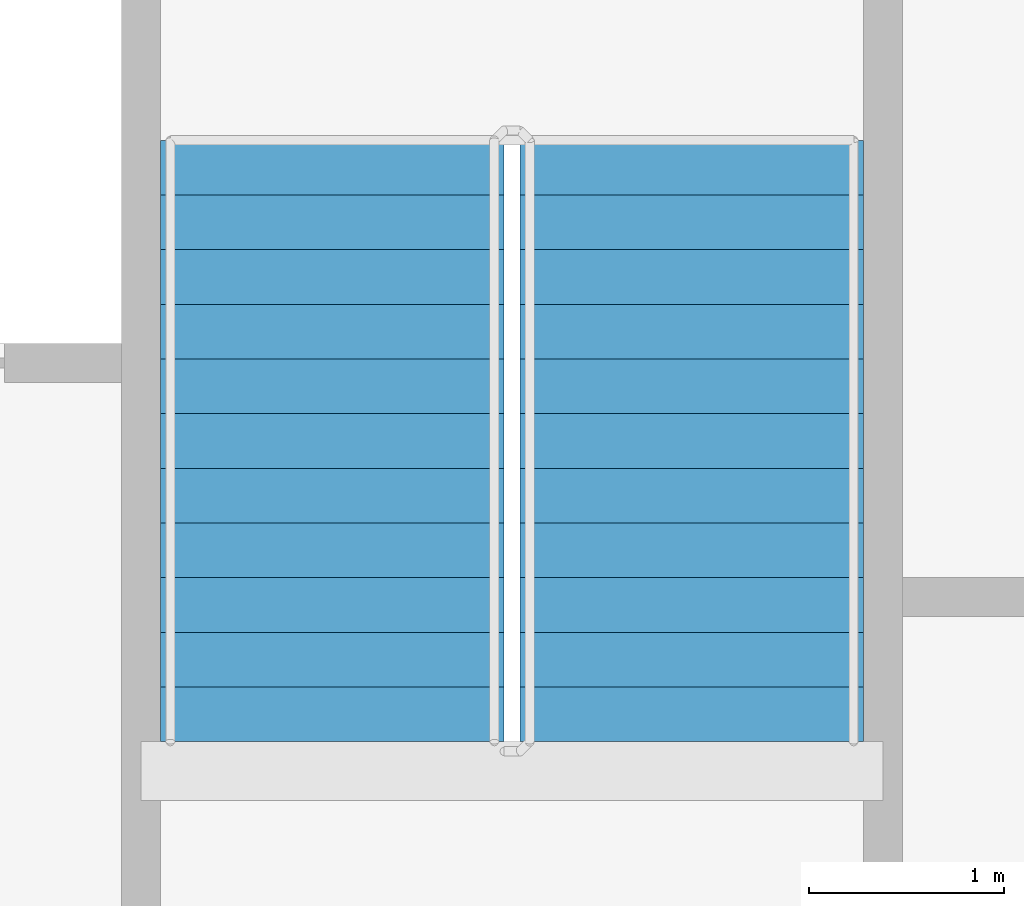
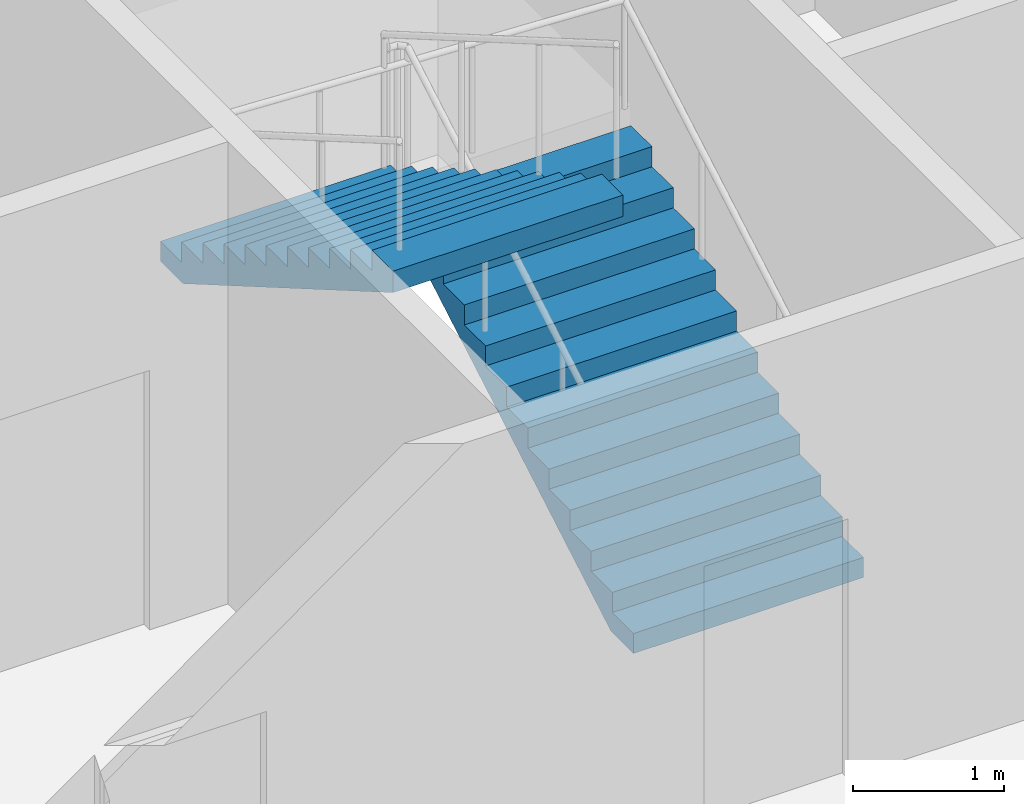
# One storey, part 10 of 15: 2 stair flights, 1 element without a shape of its own.
"""IFC4 building model written with IfcOpenShell, lengths in metres."""

from ifc_helpers import new_model, si_unit, direction, frame, origin, place, context, subcontext, project, spatial, faceted_brep, material, type_object, element, aggregate, save


model = new_model("IFC4")

# Units and contexts
model_context = context("Model", 3, precision=1e-05, world=origin(), true_north=direction((0.0, 1.0)))
body_context = subcontext(model_context, "Body", "Model", "MODEL_VIEW")
ifc_project = project(units=[si_unit("LENGTHUNIT", "METRE"), si_unit("AREAUNIT", "SQUARE_METRE"), si_unit("VOLUMEUNIT", "CUBIC_METRE"), si_unit("PLANEANGLEUNIT", "RADIAN"), si_unit("MASSUNIT", "GRAM", prefix="KILO")], contexts=[model_context])

# Site, building, storey
site_placement = place(None, origin())
site = spatial("IfcSite", under=ifc_project, at=site_placement, CompositionType="ELEMENT")
building_placement = place(site_placement, origin())
building = spatial("IfcBuilding", under=site, at=building_placement, Name="Tarsis Ring Headquarters", CompositionType="ELEMENT")
storey_placement = place(building_placement, frame((0.0, 0.0, 167.10009765625)))
storey = spatial("IfcBuildingStorey", under=building, at=storey_placement, Name="L38", CompositionType="ELEMENT", Elevation=167.10009765625)

# Stair, stair flights
ifc_material_1 = material(Name="Core stair 1760")
stair_type = type_object("IfcStairType", Name="Core stair 1760", PredefinedType="HALF_TURN_STAIR", material=ifc_material_1)
stair_placement = place(storey_placement, origin())
stair = element("IfcStair", 1, at=stair_placement, inside=storey, type_object=stair_type, Name="L38 Exit stair B", PredefinedType="HALF_TURN_STAIR")
ifc_material_2 = material(Name="Concrete C40/50", Category="concrete")
stair_flight_type = type_object("IfcStairFlightType", Name="Core stair flight 1760", PredefinedType="STRAIGHT", material=ifc_material_2)
stair_flight_1_placement = place(storey_placement, frame((5.419921875, 3.659912109375, 0.0), z_axis=(0.0, 0.0, 1.0), x_axis=(0.0, 1.0, 0.0)))
stair_flight_1 = element("IfcStairFlight", 2, at=stair_flight_1_placement, type_object=stair_flight_type, Name="Stair ST2 flight 1", NumberOfRisers=12, NumberOfTreads=11, PredefinedType="STRAIGHT", RiserHeight=0.1625, TreadLength=0.28, context=body_context, shape_type="Brep", body=[
    faceted_brep([(0.0, 0.8798828125, 0.0), (0.0, 0.8798828125, 0.16259765625), (0.280029296875, 0.8798828125, 0.16259765625), (0.280029296875, 0.8798828125, 0.324951171875), (0.56005859375, 0.8798828125, 0.324951171875), (0.56005859375, 0.8798828125, 0.487548828125), (0.840087890625, 0.8798828125, 0.487548828125), (0.840087890625, 0.8798828125, 0.64990234375), (1.1201171875, 0.8798828125, 0.64990234375), (1.1201171875, 0.8798828125, 0.8125), (1.39990234375, 0.8798828125, 0.8125), (1.39990234375, 0.8798828125, 0.97509765625), (1.679931640625, 0.8798828125, 0.97509765625), (1.679931640625, 0.8798828125, 1.137451171875), (1.9599609375, 0.8798828125, 1.137451171875), (1.9599609375, 0.8798828125, 1.300048828125), (2.239990234375, 0.8798828125, 1.300048828125), (2.239990234375, 0.8798828125, 1.46240234375), (2.52001953125, 0.8798828125, 1.46240234375), (2.52001953125, 0.8798828125, 1.625), (2.800048828125, 0.8798828125, 1.625), (2.800048828125, 0.8798828125, 1.78759765625), (3.080078125, 0.8798828125, 1.78759765625), (3.080078125, 0.8798828125, 1.6142578125), (0.298583984375, 0.8798828125, 0.0), (0.298583984375, -0.8798828125, 0.0), (3.080078125, -0.8798828125, 1.6142578125), (3.080078125, -0.8798828125, 1.78759765625), (2.800048828125, -0.8798828125, 1.78759765625), (2.800048828125, -0.8798828125, 1.625), (2.52001953125, -0.8798828125, 1.625), (2.52001953125, -0.8798828125, 1.46240234375), (2.239990234375, -0.8798828125, 1.46240234375), (2.239990234375, -0.8798828125, 1.300048828125), (1.9599609375, -0.8798828125, 1.300048828125), (1.9599609375, -0.8798828125, 1.137451171875), (1.679931640625, -0.8798828125, 1.137451171875), (1.679931640625, -0.8798828125, 0.97509765625), (1.39990234375, -0.8798828125, 0.97509765625), (1.39990234375, -0.8798828125, 0.8125), (1.1201171875, -0.8798828125, 0.8125), (1.1201171875, -0.8798828125, 0.64990234375), (0.840087890625, -0.8798828125, 0.64990234375), (0.840087890625, -0.8798828125, 0.487548828125), (0.56005859375, -0.8798828125, 0.487548828125), (0.56005859375, -0.8798828125, 0.324951171875), (0.280029296875, -0.8798828125, 0.324951171875), (0.280029296875, -0.8798828125, 0.16259765625), (0.0, -0.8798828125, 0.16259765625), (0.0, -0.8798828125, 0.0), (0.0, -0.43994140625, 0.16259765625), (0.0, -0.43994140625, 0.0), (0.0, 0.0, 0.16259765625), (0.0, 0.0, 0.0), (0.0, 0.43994140625, 0.16259765625), (0.0, 0.43994140625, 0.0), (0.280029296875, -0.43994140625, 0.16259765625), (0.280029296875, 0.0, 0.16259765625), (0.280029296875, 0.43994140625, 0.16259765625), (0.280029296875, -0.43994140625, 0.324951171875), (0.280029296875, 0.0, 0.324951171875), (0.280029296875, 0.43994140625, 0.324951171875), (0.56005859375, -0.43994140625, 0.324951171875), (0.56005859375, 0.0, 0.324951171875), (0.56005859375, 0.43994140625, 0.324951171875), (0.56005859375, -0.43994140625, 0.487548828125), (0.56005859375, 0.0, 0.487548828125), (0.56005859375, 0.43994140625, 0.487548828125), (0.840087890625, -0.43994140625, 0.487548828125), (0.840087890625, 0.0, 0.487548828125), (0.840087890625, 0.43994140625, 0.487548828125), (0.840087890625, -0.43994140625, 0.64990234375), (0.840087890625, 0.0, 0.64990234375), (0.840087890625, 0.43994140625, 0.64990234375), (1.1201171875, -0.43994140625, 0.64990234375), (1.1201171875, 0.0, 0.64990234375), (1.1201171875, 0.43994140625, 0.64990234375), (1.1201171875, -0.43994140625, 0.8125), (1.1201171875, 0.0, 0.8125), (1.1201171875, 0.43994140625, 0.8125), (1.39990234375, -0.43994140625, 0.8125), (1.39990234375, 0.0, 0.8125), (1.39990234375, 0.43994140625, 0.8125), (1.39990234375, -0.43994140625, 0.97509765625), (1.39990234375, 0.0, 0.97509765625), (1.39990234375, 0.43994140625, 0.97509765625), (1.679931640625, -0.43994140625, 0.97509765625), (1.679931640625, 0.0, 0.97509765625), (1.679931640625, 0.43994140625, 0.97509765625), (1.679931640625, -0.43994140625, 1.137451171875), (1.679931640625, 0.0, 1.137451171875), (1.679931640625, 0.43994140625, 1.137451171875), (1.9599609375, -0.43994140625, 1.137451171875), (1.9599609375, 0.0, 1.137451171875), (1.9599609375, 0.43994140625, 1.137451171875), (1.9599609375, -0.43994140625, 1.300048828125), (1.9599609375, 0.0, 1.300048828125), (1.9599609375, 0.43994140625, 1.300048828125), (2.239990234375, -0.43994140625, 1.300048828125), (2.239990234375, 0.0, 1.300048828125), (2.239990234375, 0.43994140625, 1.300048828125), (2.239990234375, -0.43994140625, 1.46240234375), (2.239990234375, 0.0, 1.46240234375), (2.239990234375, 0.43994140625, 1.46240234375), (2.52001953125, -0.43994140625, 1.46240234375), (2.52001953125, 0.0, 1.46240234375), (2.52001953125, 0.43994140625, 1.46240234375), (2.52001953125, -0.43994140625, 1.625), (2.52001953125, 0.0, 1.625), (2.52001953125, 0.43994140625, 1.625), (2.800048828125, -0.43994140625, 1.625), (2.800048828125, 0.0, 1.625), (2.800048828125, 0.43994140625, 1.625), (2.800048828125, -0.43994140625, 1.78759765625), (2.800048828125, 0.0, 1.78759765625), (2.800048828125, 0.43994140625, 1.78759765625), (3.080078125, -0.43994140625, 1.78759765625), (3.080078125, 0.0, 1.78759765625), (3.080078125, 0.43994140625, 1.78759765625), (3.080078125, -0.43994140625, 1.6142578125), (3.080078125, 0.0, 1.6142578125), (3.080078125, 0.43994140625, 1.6142578125), (0.298583984375, -0.43994140625, 0.0), (0.298583984375, 0.0, 0.0), (0.298583984375, 0.43994140625, 0.0)], [[[0, 1, 2, 3, 4, 5, 6, 7, 8, 9, 10, 11, 12, 13, 14, 15, 16, 17, 18, 19, 20, 21, 22, 23, 24]], [[25, 26, 27, 28, 29, 30, 31, 32, 33, 34, 35, 36, 37, 38, 39, 40, 41, 42, 43, 44, 45, 46, 47, 48, 49]], [[49, 48, 50, 51]], [[51, 50, 52, 53]], [[53, 52, 54, 55]], [[55, 54, 1, 0]], [[48, 47, 56, 50]], [[50, 56, 57, 52]], [[52, 57, 58, 54]], [[54, 58, 2, 1]], [[47, 46, 59, 56]], [[56, 59, 60, 57]], [[57, 60, 61, 58]], [[58, 61, 3, 2]], [[46, 45, 62, 59]], [[59, 62, 63, 60]], [[60, 63, 64, 61]], [[61, 64, 4, 3]], [[45, 44, 65, 62]], [[62, 65, 66, 63]], [[63, 66, 67, 64]], [[64, 67, 5, 4]], [[44, 43, 68, 65]], [[65, 68, 69, 66]], [[66, 69, 70, 67]], [[67, 70, 6, 5]], [[43, 42, 71, 68]], [[68, 71, 72, 69]], [[69, 72, 73, 70]], [[70, 73, 7, 6]], [[42, 41, 74, 71]], [[71, 74, 75, 72]], [[72, 75, 76, 73]], [[73, 76, 8, 7]], [[41, 40, 77, 74]], [[74, 77, 78, 75]], [[75, 78, 79, 76]], [[76, 79, 9, 8]], [[40, 39, 80, 77]], [[77, 80, 81, 78]], [[78, 81, 82, 79]], [[79, 82, 10, 9]], [[39, 38, 83, 80]], [[80, 83, 84, 81]], [[81, 84, 85, 82]], [[82, 85, 11, 10]], [[38, 37, 86, 83]], [[83, 86, 87, 84]], [[84, 87, 88, 85]], [[85, 88, 12, 11]], [[37, 36, 89, 86]], [[86, 89, 90, 87]], [[87, 90, 91, 88]], [[88, 91, 13, 12]], [[36, 35, 92, 89]], [[89, 92, 93, 90]], [[90, 93, 94, 91]], [[91, 94, 14, 13]], [[35, 34, 95, 92]], [[92, 95, 96, 93]], [[93, 96, 97, 94]], [[94, 97, 15, 14]], [[34, 33, 98, 95]], [[95, 98, 99, 96]], [[96, 99, 100, 97]], [[97, 100, 16, 15]], [[33, 32, 101, 98]], [[98, 101, 102, 99]], [[99, 102, 103, 100]], [[100, 103, 17, 16]], [[32, 31, 104, 101]], [[101, 104, 105, 102]], [[102, 105, 106, 103]], [[103, 106, 18, 17]], [[31, 30, 107, 104]], [[104, 107, 108, 105]], [[105, 108, 109, 106]], [[106, 109, 19, 18]], [[30, 29, 110, 107]], [[107, 110, 111, 108]], [[108, 111, 112, 109]], [[109, 112, 20, 19]], [[29, 28, 113, 110]], [[110, 113, 114, 111]], [[111, 114, 115, 112]], [[112, 115, 21, 20]], [[28, 27, 116, 113]], [[113, 116, 117, 114]], [[114, 117, 118, 115]], [[115, 118, 22, 21]], [[27, 26, 119, 116]], [[116, 119, 120, 117]], [[117, 120, 121, 118]], [[118, 121, 23, 22]], [[26, 25, 122, 119]], [[119, 122, 123, 120]], [[120, 123, 124, 121]], [[121, 124, 24, 23]], [[25, 49, 51, 122]], [[122, 51, 53, 123]], [[123, 53, 55, 124]], [[124, 55, 0, 24]]]),
])
stair_flight_2_placement = place(storey_placement, frame((3.580078125, 6.739990234375, 1.949951171875), z_axis=(0.0, 0.0, 1.0), x_axis=(0.0, -1.0, 0.0)))
stair_flight_2 = element("IfcStairFlight", 3, at=stair_flight_2_placement, type_object=stair_flight_type, Name="Stair ST2 flight 2", NumberOfRisers=12, NumberOfTreads=11, PredefinedType="STRAIGHT", RiserHeight=0.1625, TreadLength=0.28, context=body_context, shape_type="Brep", body=[
    faceted_brep([(0.0, 0.8798828125, 0.0), (0.0, 0.8798828125, 0.16259765625), (0.280029296875, 0.8798828125, 0.16259765625), (0.280029296875, 0.8798828125, 0.324951171875), (0.56005859375, 0.8798828125, 0.324951171875), (0.56005859375, 0.8798828125, 0.487548828125), (0.840087890625, 0.8798828125, 0.487548828125), (0.840087890625, 0.8798828125, 0.64990234375), (1.1201171875, 0.8798828125, 0.64990234375), (1.1201171875, 0.8798828125, 0.8125), (1.39990234375, 0.8798828125, 0.8125), (1.39990234375, 0.8798828125, 0.97509765625), (1.679931640625, 0.8798828125, 0.97509765625), (1.679931640625, 0.8798828125, 1.137451171875), (1.9599609375, 0.8798828125, 1.137451171875), (1.9599609375, 0.8798828125, 1.300048828125), (2.239990234375, 0.8798828125, 1.300048828125), (2.239990234375, 0.8798828125, 1.46240234375), (2.52001953125, 0.8798828125, 1.46240234375), (2.52001953125, 0.8798828125, 1.625), (2.800048828125, 0.8798828125, 1.625), (2.800048828125, 0.8798828125, 1.78759765625), (3.080078125, 0.8798828125, 1.78759765625), (3.080078125, 0.8798828125, 1.6142578125), (0.298583984375, 0.8798828125, 0.0), (0.298583984375, -0.8798828125, 0.0), (3.080078125, -0.8798828125, 1.6142578125), (3.080078125, -0.8798828125, 1.78759765625), (2.800048828125, -0.8798828125, 1.78759765625), (2.800048828125, -0.8798828125, 1.625), (2.52001953125, -0.8798828125, 1.625), (2.52001953125, -0.8798828125, 1.46240234375), (2.239990234375, -0.8798828125, 1.46240234375), (2.239990234375, -0.8798828125, 1.300048828125), (1.9599609375, -0.8798828125, 1.300048828125), (1.9599609375, -0.8798828125, 1.137451171875), (1.679931640625, -0.8798828125, 1.137451171875), (1.679931640625, -0.8798828125, 0.97509765625), (1.39990234375, -0.8798828125, 0.97509765625), (1.39990234375, -0.8798828125, 0.8125), (1.1201171875, -0.8798828125, 0.8125), (1.1201171875, -0.8798828125, 0.64990234375), (0.840087890625, -0.8798828125, 0.64990234375), (0.840087890625, -0.8798828125, 0.487548828125), (0.56005859375, -0.8798828125, 0.487548828125), (0.56005859375, -0.8798828125, 0.324951171875), (0.280029296875, -0.8798828125, 0.324951171875), (0.280029296875, -0.8798828125, 0.16259765625), (0.0, -0.8798828125, 0.16259765625), (0.0, -0.8798828125, 0.0), (0.0, -0.43994140625, 0.16259765625), (0.0, -0.43994140625, 0.0), (0.0, 0.0, 0.16259765625), (0.0, 0.0, 0.0), (0.0, 0.43994140625, 0.16259765625), (0.0, 0.43994140625, 0.0), (0.280029296875, -0.43994140625, 0.16259765625), (0.280029296875, 0.0, 0.16259765625), (0.280029296875, 0.43994140625, 0.16259765625), (0.280029296875, -0.43994140625, 0.324951171875), (0.280029296875, 0.0, 0.324951171875), (0.280029296875, 0.43994140625, 0.324951171875), (0.56005859375, -0.43994140625, 0.324951171875), (0.56005859375, 0.0, 0.324951171875), (0.56005859375, 0.43994140625, 0.324951171875), (0.56005859375, -0.43994140625, 0.487548828125), (0.56005859375, 0.0, 0.487548828125), (0.56005859375, 0.43994140625, 0.487548828125), (0.840087890625, -0.43994140625, 0.487548828125), (0.840087890625, 0.0, 0.487548828125), (0.840087890625, 0.43994140625, 0.487548828125), (0.840087890625, -0.43994140625, 0.64990234375), (0.840087890625, 0.0, 0.64990234375), (0.840087890625, 0.43994140625, 0.64990234375), (1.1201171875, -0.43994140625, 0.64990234375), (1.1201171875, 0.0, 0.64990234375), (1.1201171875, 0.43994140625, 0.64990234375), (1.1201171875, -0.43994140625, 0.8125), (1.1201171875, 0.0, 0.8125), (1.1201171875, 0.43994140625, 0.8125), (1.39990234375, -0.43994140625, 0.8125), (1.39990234375, 0.0, 0.8125), (1.39990234375, 0.43994140625, 0.8125), (1.39990234375, -0.43994140625, 0.97509765625), (1.39990234375, 0.0, 0.97509765625), (1.39990234375, 0.43994140625, 0.97509765625), (1.679931640625, -0.43994140625, 0.97509765625), (1.679931640625, 0.0, 0.97509765625), (1.679931640625, 0.43994140625, 0.97509765625), (1.679931640625, -0.43994140625, 1.137451171875), (1.679931640625, 0.0, 1.137451171875), (1.679931640625, 0.43994140625, 1.137451171875), (1.9599609375, -0.43994140625, 1.137451171875), (1.9599609375, 0.0, 1.137451171875), (1.9599609375, 0.43994140625, 1.137451171875), (1.9599609375, -0.43994140625, 1.300048828125), (1.9599609375, 0.0, 1.300048828125), (1.9599609375, 0.43994140625, 1.300048828125), (2.239990234375, -0.43994140625, 1.300048828125), (2.239990234375, 0.0, 1.300048828125), (2.239990234375, 0.43994140625, 1.300048828125), (2.239990234375, -0.43994140625, 1.46240234375), (2.239990234375, 0.0, 1.46240234375), (2.239990234375, 0.43994140625, 1.46240234375), (2.52001953125, -0.43994140625, 1.46240234375), (2.52001953125, 0.0, 1.46240234375), (2.52001953125, 0.43994140625, 1.46240234375), (2.52001953125, -0.43994140625, 1.625), (2.52001953125, 0.0, 1.625), (2.52001953125, 0.43994140625, 1.625), (2.800048828125, -0.43994140625, 1.625), (2.800048828125, 0.0, 1.625), (2.800048828125, 0.43994140625, 1.625), (2.800048828125, -0.43994140625, 1.78759765625), (2.800048828125, 0.0, 1.78759765625), (2.800048828125, 0.43994140625, 1.78759765625), (3.080078125, -0.43994140625, 1.78759765625), (3.080078125, 0.0, 1.78759765625), (3.080078125, 0.43994140625, 1.78759765625), (3.080078125, -0.43994140625, 1.6142578125), (3.080078125, 0.0, 1.6142578125), (3.080078125, 0.43994140625, 1.6142578125), (0.298583984375, -0.43994140625, 0.0), (0.298583984375, 0.0, 0.0), (0.298583984375, 0.43994140625, 0.0)], [[[0, 1, 2, 3, 4, 5, 6, 7, 8, 9, 10, 11, 12, 13, 14, 15, 16, 17, 18, 19, 20, 21, 22, 23, 24]], [[25, 26, 27, 28, 29, 30, 31, 32, 33, 34, 35, 36, 37, 38, 39, 40, 41, 42, 43, 44, 45, 46, 47, 48, 49]], [[49, 48, 50, 51]], [[51, 50, 52, 53]], [[53, 52, 54, 55]], [[55, 54, 1, 0]], [[48, 47, 56, 50]], [[50, 56, 57, 52]], [[52, 57, 58, 54]], [[54, 58, 2, 1]], [[47, 46, 59, 56]], [[56, 59, 60, 57]], [[57, 60, 61, 58]], [[58, 61, 3, 2]], [[46, 45, 62, 59]], [[59, 62, 63, 60]], [[60, 63, 64, 61]], [[61, 64, 4, 3]], [[45, 44, 65, 62]], [[62, 65, 66, 63]], [[63, 66, 67, 64]], [[64, 67, 5, 4]], [[44, 43, 68, 65]], [[65, 68, 69, 66]], [[66, 69, 70, 67]], [[67, 70, 6, 5]], [[43, 42, 71, 68]], [[68, 71, 72, 69]], [[69, 72, 73, 70]], [[70, 73, 7, 6]], [[42, 41, 74, 71]], [[71, 74, 75, 72]], [[72, 75, 76, 73]], [[73, 76, 8, 7]], [[41, 40, 77, 74]], [[74, 77, 78, 75]], [[75, 78, 79, 76]], [[76, 79, 9, 8]], [[40, 39, 80, 77]], [[77, 80, 81, 78]], [[78, 81, 82, 79]], [[79, 82, 10, 9]], [[39, 38, 83, 80]], [[80, 83, 84, 81]], [[81, 84, 85, 82]], [[82, 85, 11, 10]], [[38, 37, 86, 83]], [[83, 86, 87, 84]], [[84, 87, 88, 85]], [[85, 88, 12, 11]], [[37, 36, 89, 86]], [[86, 89, 90, 87]], [[87, 90, 91, 88]], [[88, 91, 13, 12]], [[36, 35, 92, 89]], [[89, 92, 93, 90]], [[90, 93, 94, 91]], [[91, 94, 14, 13]], [[35, 34, 95, 92]], [[92, 95, 96, 93]], [[93, 96, 97, 94]], [[94, 97, 15, 14]], [[34, 33, 98, 95]], [[95, 98, 99, 96]], [[96, 99, 100, 97]], [[97, 100, 16, 15]], [[33, 32, 101, 98]], [[98, 101, 102, 99]], [[99, 102, 103, 100]], [[100, 103, 17, 16]], [[32, 31, 104, 101]], [[101, 104, 105, 102]], [[102, 105, 106, 103]], [[103, 106, 18, 17]], [[31, 30, 107, 104]], [[104, 107, 108, 105]], [[105, 108, 109, 106]], [[106, 109, 19, 18]], [[30, 29, 110, 107]], [[107, 110, 111, 108]], [[108, 111, 112, 109]], [[109, 112, 20, 19]], [[29, 28, 113, 110]], [[110, 113, 114, 111]], [[111, 114, 115, 112]], [[112, 115, 21, 20]], [[28, 27, 116, 113]], [[113, 116, 117, 114]], [[114, 117, 118, 115]], [[115, 118, 22, 21]], [[27, 26, 119, 116]], [[116, 119, 120, 117]], [[117, 120, 121, 118]], [[118, 121, 23, 22]], [[26, 25, 122, 119]], [[119, 122, 123, 120]], [[120, 123, 124, 121]], [[121, 124, 24, 23]], [[25, 49, 51, 122]], [[122, 51, 53, 123]], [[123, 53, 55, 124]], [[124, 55, 0, 24]]]),
])
aggregate(stair, [stair_flight_1, stair_flight_2])

save(model, "model.ifc")
